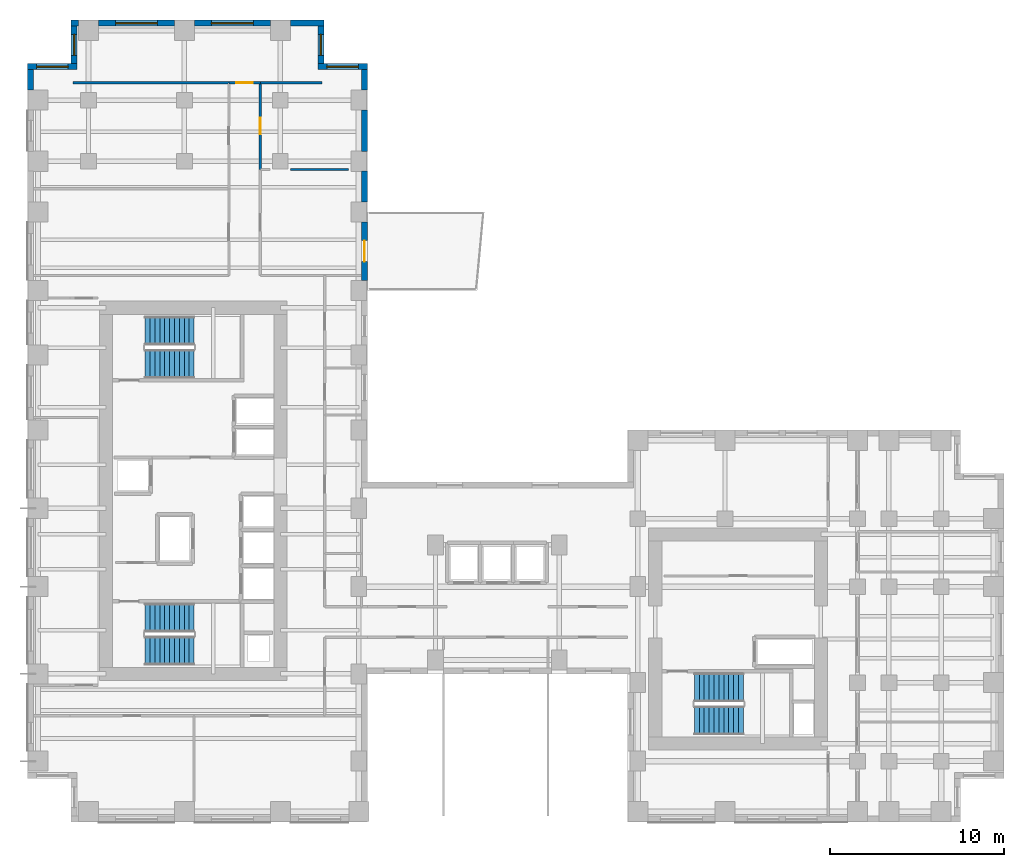
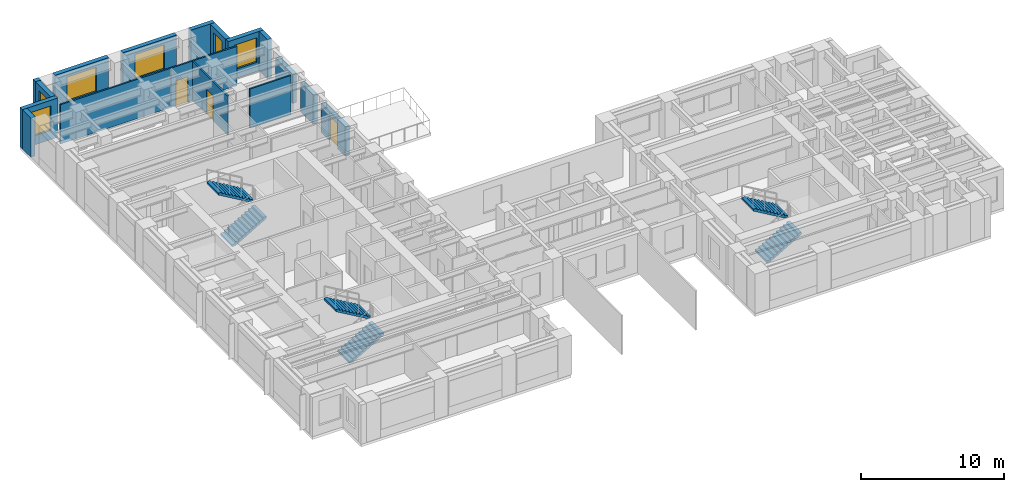
# One storey, part 9 of 11: 18 walls, 6 stair flights, 6 windows, 3 doors, 9 openings, 3 elements without a shape of their own.
"""IFC4 building model written with IfcOpenShell, lengths in metres."""

from ifc_helpers import new_model, si_unit, direction, frame, frame_2d, origin, place, context, subcontext, project, spatial, polyline, rectangle, outline, extrude, source, transform, mapped, material, layer, layer_set, type_object, element, fill, aggregate, save


model = new_model("IFC4")

# Units and contexts
model_context = context("Model", 3, precision=1e-05, world=origin(), true_north=direction((0.0, 1.0)))
body_context = subcontext(model_context, "Body", "Model", "MODEL_VIEW")
ifc_project = project(units=[si_unit("LENGTHUNIT", "METRE"), si_unit("AREAUNIT", "SQUARE_METRE"), si_unit("VOLUMEUNIT", "CUBIC_METRE"), si_unit("PLANEANGLEUNIT", "RADIAN"), si_unit("MASSUNIT", "GRAM", prefix="KILO")], contexts=[model_context])

# Site, building, storey
site_placement = place(None, origin())
site = spatial("IfcSite", under=ifc_project, at=site_placement, CompositionType="ELEMENT")
building_placement = place(site_placement, origin())
building = spatial("IfcBuilding", under=site, at=building_placement, Name="Kharzan Plaza Tower", CompositionType="ELEMENT")
storey_placement = place(building_placement, frame((0.0, 0.0, 113.39990234375)))
storey = spatial("IfcBuildingStorey", under=building, at=storey_placement, Name="L30", CompositionType="ELEMENT", Elevation=113.39990234375)

# Wall, opening, door
ifc_material_1 = material(Name="Concrete C40/50", Category="concrete")
ifc_layer_1 = layer(ifc_material_1, 0.35009765625)
ifc_layer_set_1 = layer_set([ifc_layer_1], Name="Concrete C40/50")
wall_type_1 = type_object("IfcWallType", Name="WL-EXT-MAS-Z2", PredefinedType="SOLIDWALL", material=ifc_layer_set_1)
wall_1_placement = place(storey_placement, frame((19.324951171875, 31.072998046875, 0.0), z_axis=(0.0, 0.0, 1.0), x_axis=(0.0, 1.0, 0.0)))
wall_1 = element("IfcWall", 1, at=wall_1_placement, inside=storey, type_object=wall_type_1, Name="L30 Masonry-Frame Exterior Wall 04", PredefinedType="SOLIDWALL", context=body_context, shape_type="SweptSolid", body=[
    extrude(rectangle(XDim=3.35400390625, YDim=0.35009765625, at=frame_2d((1.677001953125, 0.0))), origin(), (0.0, 0.0, 1.0), 2.51904296875),
])
opening_1_placement = place(wall_1_placement, frame((1.076904296875, 0.0, 0.0)))
opening_1 = element("IfcOpeningElement", 2, at=opening_1_placement, cuts=wall_1, Name="Opening ED3", PredefinedType="OPENING", context=body_context, shape_type="SweptSolid", body=[
    extrude(rectangle(XDim=1.199951171875, YDim=2.14990234375, at=frame_2d((0.60009765625, 1.074951171875))), frame((0.0, 0.18505859375, 0.0), z_axis=(0.0, -1.0, 0.0), x_axis=(1.0, 0.0, 0.0)), (0.0, 0.0, 1.0), 0.3701171875),
])
ifc_material_2 = material(Name="Thermally Broken Anodized Bronze Aluminium", Category="aluminium")
door_type_1 = type_object("IfcDoorType", Name="DR-EXT-TRAY-1200", OperationType="SINGLE_SWING_LEFT", PredefinedType="DOOR", material=ifc_material_2)
shared_shape_1 = source(origin(), body_context, "Body", "SweptSolid", [
    extrude(rectangle(XDim=1.199951171875, YDim=2.14990234375, at=frame_2d((0.60009765625, 1.074951171875))), frame((0.0, 0.02490234375, 0.0), z_axis=(0.0, -1.0, 0.0), x_axis=(1.0, 0.0, 0.0)), (0.0, 0.0, 1.0), 0.050048828125),
])
door_1_placement = place(opening_1_placement, frame((1.199951171875, 0.0, 0.0), z_axis=(0.0, 0.0, 1.0), x_axis=(-1.0, 0.0, 0.0)))
door_1 = element("IfcDoor", 3, at=door_1_placement, inside=storey, type_object=door_type_1, Name="L30 Cantilevered Sky-Terrace Tray Access Door", OperationType="SINGLE_SWING_LEFT", OverallHeight=2.14990234375, OverallWidth=1.199951171875, PredefinedType="DOOR", context=body_context, shape_type="MappedRepresentation", body=[
    mapped(shared_shape_1, transform((0.0, 0.0, 0.0), x_axis=(1.0, 0.0, 0.0), y_axis=(0.0, 1.0, 0.0), z_axis=(0.0, 0.0, 1.0))),
])
fill(opening_1, door_1)

# Wall, opening, window
wall_2_placement = place(storey_placement, frame((19.5, 43.324951171875, 0.0), z_axis=(0.0, 0.0, 1.0), x_axis=(-1.0, 0.0, 0.0)))
wall_2 = element("IfcWall", 4, at=wall_2_placement, inside=storey, type_object=wall_type_1, Name="L30 Masonry-Frame Exterior Wall 08", PredefinedType="SOLIDWALL", context=body_context, shape_type="SweptSolid", body=[
    extrude(rectangle(XDim=2.85009765625, YDim=0.35009765625, at=frame_2d((1.425048828125, 0.0))), origin(), (0.0, 0.0, 1.0), 3.364990234375),
])
opening_2_placement = place(wall_2_placement, frame((0.52490234375, 0.0, 0.780029296875)))
opening_2 = element("IfcOpeningElement", 5, at=opening_2_placement, cuts=wall_2, Name="Opening W1", PredefinedType="OPENING", context=body_context, shape_type="SweptSolid", body=[
    extrude(rectangle(XDim=1.800048828125, YDim=2.10009765625, at=frame_2d((0.89990234375, 1.050048828125))), frame((0.0, 0.18505859375, 0.0), z_axis=(0.0, -1.0, 0.0), x_axis=(1.0, 0.0, 0.0)), (0.0, 0.0, 1.0), 0.3701171875),
])
ifc_material_3 = material(Name="Low-E Double Glazing", Category="glass")
window_type_1 = type_object("IfcWindowType", Name="WN-REC-1800x2100", PartitioningType="SINGLE_PANEL", PredefinedType="WINDOW", material=ifc_material_3)
shared_shape_2 = source(origin(), body_context, "Body", "SweptSolid", [
    extrude(rectangle(XDim=1.800048828125, YDim=2.10009765625, at=frame_2d((0.89990234375, 1.050048828125))), frame((0.0, 0.030029296875, 0.0), z_axis=(0.0, -1.0, 0.0), x_axis=(1.0, 0.0, 0.0)), (0.0, 0.0, 1.0), 0.06005859375),
])
window_1_placement = place(opening_2_placement, origin())
window_1 = element("IfcWindow", 6, at=window_1_placement, inside=storey, type_object=window_type_1, Name="L30 Recessed Solar-Control Window 08-1", OverallHeight=2.10009765625, OverallWidth=1.800048828125, PartitioningType="SINGLE_PANEL", PredefinedType="WINDOW", context=body_context, shape_type="MappedRepresentation", body=[
    mapped(shared_shape_2, transform((0.0, 0.0, 0.0), x_axis=(1.0, 0.0, 0.0), y_axis=(0.0, 1.0, 0.0), z_axis=(0.0, 0.0, 1.0))),
])
fill(opening_2, window_1)

wall_3_placement = place(storey_placement, frame((16.824951171875, 43.498046875, 0.0), z_axis=(0.0, 0.0, 1.0), x_axis=(0.0, 1.0, 0.0)))
wall_3 = element("IfcWall", 7, at=wall_3_placement, inside=storey, type_object=wall_type_1, Name="L30 Masonry-Frame Exterior Wall 09", PredefinedType="SOLIDWALL", context=body_context, shape_type="SweptSolid", body=[
    extrude(rectangle(XDim=2.154052734375, YDim=0.35009765625, at=frame_2d((1.0771484375, 0.0))), origin(), (0.0, 0.0, 1.0), 3.364990234375),
])
opening_3_placement = place(wall_3_placement, frame((0.47705078125, 0.0, 0.780029296875)))
opening_3 = element("IfcOpeningElement", 8, at=opening_3_placement, cuts=wall_3, Name="Opening W3", PredefinedType="OPENING", context=body_context, shape_type="SweptSolid", body=[
    extrude(rectangle(XDim=1.199951171875, YDim=2.10009765625, at=frame_2d((0.60009765625, 1.050048828125))), frame((0.0, 0.18505859375, 0.0), z_axis=(0.0, -1.0, 0.0), x_axis=(1.0, 0.0, 0.0)), (0.0, 0.0, 1.0), 0.3701171875),
])
window_type_2 = type_object("IfcWindowType", Name="WN-REC-1200x2100", PartitioningType="SINGLE_PANEL", PredefinedType="WINDOW", material=ifc_material_3)
shared_shape_3 = source(origin(), body_context, "Body", "SweptSolid", [
    extrude(rectangle(XDim=1.199951171875, YDim=2.10009765625, at=frame_2d((0.60009765625, 1.050048828125))), frame((0.0, 0.030029296875, 0.0), z_axis=(0.0, -1.0, 0.0), x_axis=(1.0, 0.0, 0.0)), (0.0, 0.0, 1.0), 0.06005859375),
])
window_2_placement = place(opening_3_placement, origin())
window_2 = element("IfcWindow", 9, at=window_2_placement, inside=storey, type_object=window_type_2, Name="L30 Recessed Solar-Control Window 09-1", OverallHeight=2.10009765625, OverallWidth=1.199951171875, PartitioningType="SINGLE_PANEL", PredefinedType="WINDOW", context=body_context, shape_type="MappedRepresentation", body=[
    mapped(shared_shape_3, transform((0.0, 0.0, 0.0), x_axis=(1.0, 0.0, 0.0), y_axis=(0.0, 1.0, 0.0), z_axis=(0.0, 0.0, 1.0))),
])
fill(opening_3, window_2)

wall_4_placement = place(storey_placement, frame((13.927001953125, 45.824951171875, 0.0), z_axis=(0.0, 0.0, 1.0), x_axis=(-1.0, 0.0, 0.0)))
wall_4 = element("IfcWall", 10, at=wall_4_placement, inside=storey, type_object=wall_type_1, Name="L30 Masonry-Frame Exterior Wall 11", PredefinedType="SOLIDWALL", context=body_context, shape_type="SweptSolid", body=[
    extrude(rectangle(XDim=4.35400390625, YDim=0.35009765625, at=frame_2d((2.177001953125, 0.0))), origin(), (0.0, 0.0, 1.0), 3.364990234375),
])
opening_4_placement = place(wall_4_placement, frame((0.97705078125, 0.0, 0.780029296875)))
opening_4 = element("IfcOpeningElement", 11, at=opening_4_placement, cuts=wall_4, Name="Opening W2", PredefinedType="OPENING", context=body_context, shape_type="SweptSolid", body=[
    extrude(rectangle(XDim=2.39990234375, YDim=2.10009765625, at=frame_2d((1.199951171875, 1.050048828125))), frame((0.0, 0.18505859375, 0.0), z_axis=(0.0, -1.0, 0.0), x_axis=(1.0, 0.0, 0.0)), (0.0, 0.0, 1.0), 0.3701171875),
])
window_type_3 = type_object("IfcWindowType", Name="WN-REC-2400x2100", PartitioningType="SINGLE_PANEL", PredefinedType="WINDOW", material=ifc_material_3)
shared_shape_4 = source(origin(), body_context, "Body", "SweptSolid", [
    extrude(rectangle(XDim=2.39990234375, YDim=2.10009765625, at=frame_2d((1.199951171875, 1.050048828125))), frame((0.0, 0.030029296875, 0.0), z_axis=(0.0, -1.0, 0.0), x_axis=(1.0, 0.0, 0.0)), (0.0, 0.0, 1.0), 0.06005859375),
])
window_3_placement = place(opening_4_placement, origin())
window_3 = element("IfcWindow", 12, at=window_3_placement, inside=storey, type_object=window_type_3, Name="L30 Wide Recessed Solar-Control Window 11-1", OverallHeight=2.10009765625, OverallWidth=2.39990234375, PartitioningType="SINGLE_PANEL", PredefinedType="WINDOW", context=body_context, shape_type="MappedRepresentation", body=[
    mapped(shared_shape_4, transform((0.0, 0.0, 0.0), x_axis=(1.0, 0.0, 0.0), y_axis=(0.0, 1.0, 0.0), z_axis=(0.0, 0.0, 1.0))),
])
fill(opening_4, window_3)

wall_5_placement = place(storey_placement, frame((8.427001953125, 45.824951171875, 0.0), z_axis=(0.0, 0.0, 1.0), x_axis=(-1.0, 0.0, 0.0)))
wall_5 = element("IfcWall", 13, at=wall_5_placement, inside=storey, type_object=wall_type_1, Name="L30 Masonry-Frame Exterior Wall 12", PredefinedType="SOLIDWALL", context=body_context, shape_type="SweptSolid", body=[
    extrude(rectangle(XDim=4.35400390625, YDim=0.35009765625, at=frame_2d((2.177001953125, 0.0))), origin(), (0.0, 0.0, 1.0), 3.364990234375),
])
opening_5_placement = place(wall_5_placement, frame((0.97705078125, 0.0, 0.780029296875)))
opening_5 = element("IfcOpeningElement", 14, at=opening_5_placement, cuts=wall_5, Name="Opening W2", PredefinedType="OPENING", context=body_context, shape_type="SweptSolid", body=[
    extrude(rectangle(XDim=2.39990234375, YDim=2.10009765625, at=frame_2d((1.199951171875, 1.050048828125))), frame((0.0, 0.18505859375, 0.0), z_axis=(0.0, -1.0, 0.0), x_axis=(1.0, 0.0, 0.0)), (0.0, 0.0, 1.0), 0.3701171875),
])
window_4_placement = place(opening_5_placement, origin())
window_4 = element("IfcWindow", 15, at=window_4_placement, inside=storey, type_object=window_type_3, Name="L30 Wide Recessed Solar-Control Window 12-1", OverallHeight=2.10009765625, OverallWidth=2.39990234375, PartitioningType="SINGLE_PANEL", PredefinedType="WINDOW", context=body_context, shape_type="MappedRepresentation", body=[
    mapped(shared_shape_4, transform((0.0, 0.0, 0.0), x_axis=(1.0, 0.0, 0.0), y_axis=(0.0, 1.0, 0.0), z_axis=(0.0, 0.0, 1.0))),
])
fill(opening_5, window_4)

wall_6_placement = place(storey_placement, frame((2.675048828125, 45.652099609375, 0.0), z_axis=(0.0, 0.0, 1.0), x_axis=(0.0, -1.0, 0.0)))
wall_6 = element("IfcWall", 16, at=wall_6_placement, inside=storey, type_object=wall_type_1, Name="L30 Masonry-Frame Exterior Wall 14", PredefinedType="SOLIDWALL", context=body_context, shape_type="SweptSolid", body=[
    extrude(rectangle(XDim=2.154052734375, YDim=0.35009765625, at=frame_2d((1.0771484375, 0.0))), origin(), (0.0, 0.0, 1.0), 3.364990234375),
])
opening_6_placement = place(wall_6_placement, frame((0.47705078125, 0.0, 0.780029296875)))
opening_6 = element("IfcOpeningElement", 17, at=opening_6_placement, cuts=wall_6, Name="Opening W3", PredefinedType="OPENING", context=body_context, shape_type="SweptSolid", body=[
    extrude(rectangle(XDim=1.199951171875, YDim=2.10009765625, at=frame_2d((0.60009765625, 1.050048828125))), frame((0.0, 0.18505859375, 0.0), z_axis=(0.0, -1.0, 0.0), x_axis=(1.0, 0.0, 0.0)), (0.0, 0.0, 1.0), 0.3701171875),
])
window_5_placement = place(opening_6_placement, origin())
window_5 = element("IfcWindow", 18, at=window_5_placement, inside=storey, type_object=window_type_2, Name="L30 Recessed Solar-Control Window 14-1", OverallHeight=2.10009765625, OverallWidth=1.199951171875, PartitioningType="SINGLE_PANEL", PredefinedType="WINDOW", context=body_context, shape_type="MappedRepresentation", body=[
    mapped(shared_shape_3, transform((0.0, 0.0, 0.0), x_axis=(1.0, 0.0, 0.0), y_axis=(0.0, 1.0, 0.0), z_axis=(0.0, 0.0, 1.0))),
])
fill(opening_6, window_5)

wall_7_placement = place(storey_placement, frame((2.85009765625, 43.324951171875, 0.0), z_axis=(0.0, 0.0, 1.0), x_axis=(-1.0, 0.0, 0.0)))
wall_7 = element("IfcWall", 19, at=wall_7_placement, inside=storey, type_object=wall_type_1, Name="L30 Masonry-Frame Exterior Wall 15", PredefinedType="SOLIDWALL", context=body_context, shape_type="SweptSolid", body=[
    extrude(rectangle(XDim=2.85009765625, YDim=0.35009765625, at=frame_2d((1.425048828125, 0.0))), origin(), (0.0, 0.0, 1.0), 3.364990234375),
])
opening_7_placement = place(wall_7_placement, frame((0.52490234375, 0.0, 0.780029296875)))
opening_7 = element("IfcOpeningElement", 20, at=opening_7_placement, cuts=wall_7, Name="Opening W1", PredefinedType="OPENING", context=body_context, shape_type="SweptSolid", body=[
    extrude(rectangle(XDim=1.800048828125, YDim=2.10009765625, at=frame_2d((0.89990234375, 1.050048828125))), frame((0.0, 0.18505859375, 0.0), z_axis=(0.0, -1.0, 0.0), x_axis=(1.0, 0.0, 0.0)), (0.0, 0.0, 1.0), 0.3701171875),
])
window_6_placement = place(opening_7_placement, origin())
window_6 = element("IfcWindow", 21, at=window_6_placement, inside=storey, type_object=window_type_1, Name="L30 Recessed Solar-Control Window 15-1", OverallHeight=2.10009765625, OverallWidth=1.800048828125, PartitioningType="SINGLE_PANEL", PredefinedType="WINDOW", context=body_context, shape_type="MappedRepresentation", body=[
    mapped(shared_shape_2, transform((0.0, 0.0, 0.0), x_axis=(1.0, 0.0, 0.0), y_axis=(0.0, 1.0, 0.0), z_axis=(0.0, 0.0, 1.0))),
])
fill(opening_7, window_6)

# Wall, opening, door
ifc_material_4 = material(Name="Fire-Rated Gypsum Board Partition", Category="gypsum")
ifc_layer_2 = layer(ifc_material_4, 0.125)
ifc_layer_set_2 = layer_set([ifc_layer_2], Name="Fire-Rated Gypsum Board Partition")
wall_type_2 = type_object("IfcWallType", Name="WL-INT-PART-125", PredefinedType="PARTITIONING", material=ifc_layer_set_2)
wall_8_placement = place(storey_placement, frame((13.35009765625, 37.427978515625, 0.0), z_axis=(0.0, 0.0, 1.0), x_axis=(0.0, 1.0, 0.0)))
wall_8 = element("IfcWall", 22, at=wall_8_placement, inside=storey, type_object=wall_type_2, Name="L30 Interior Partition SH-SPE-2", PredefinedType="PARTITIONING", context=body_context, shape_type="SweptSolid", body=[
    extrude(rectangle(XDim=4.971923828125, YDim=0.125, at=frame_2d((2.48583984375, 0.0))), origin(), (0.0, 0.0, 1.0), 3.364990234375),
])
opening_8_placement = place(wall_8_placement, frame((2.010986328125, 0.0, 0.0)))
opening_8 = element("IfcOpeningElement", 23, at=opening_8_placement, cuts=wall_8, Name="Opening OD1", PredefinedType="OPENING", context=body_context, shape_type="SweptSolid", body=[
    extrude(rectangle(XDim=0.949951171875, YDim=2.14990234375, at=frame_2d((0.47509765625, 1.074951171875))), frame((0.0, 0.072509765625, 0.0), z_axis=(0.0, -1.0, 0.0), x_axis=(1.0, 0.0, 0.0)), (0.0, 0.0, 1.0), 0.14501953125),
])
ifc_material_5 = material(Name="Acoustic Solid-Core Stained Oak", Category="timber")
door_type_2 = type_object("IfcDoorType", Name="DR-OFF-SINGLE", OperationType="NOTDEFINED", PredefinedType="DOOR", material=ifc_material_5)
shared_shape_5 = source(origin(), body_context, "Body", "SweptSolid", [
    extrude(rectangle(XDim=0.949951171875, YDim=2.14990234375, at=frame_2d((0.47509765625, 1.074951171875))), frame((0.0, 0.02490234375, 0.0), z_axis=(0.0, -1.0, 0.0), x_axis=(1.0, 0.0, 0.0)), (0.0, 0.0, 1.0), 0.050048828125),
])
door_2_placement = place(opening_8_placement, origin())
door_2 = element("IfcDoor", 24, at=door_2_placement, inside=storey, type_object=door_type_2, Name="L30 Committee Conference Room Door", OperationType="SINGLE_SWING_LEFT", OverallHeight=2.14990234375, OverallWidth=0.949951171875, PredefinedType="DOOR", context=body_context, shape_type="MappedRepresentation", body=[
    mapped(shared_shape_5, transform((0.0, 0.0, 0.0), x_axis=(1.0, 0.0, 0.0), y_axis=(0.0, 1.0, 0.0), z_axis=(0.0, 0.0, 1.0))),
])
fill(opening_8, door_2)

wall_9_placement = place(storey_placement, frame((11.550048828125, 42.39990234375, 0.0), z_axis=(0.0, 0.0, 1.0), x_axis=(1.0, 0.0, 0.0)))
wall_9 = element("IfcWall", 25, at=wall_9_placement, inside=storey, type_object=wall_type_2, Name="L30 Interior Partition SH-SPHD", PredefinedType="PARTITIONING", context=body_context, shape_type="SweptSolid", body=[
    extrude(rectangle(XDim=1.800048828125, YDim=0.125, at=frame_2d((0.89990234375, 0.0))), origin(), (0.0, 0.0, 1.0), 3.364990234375),
])
opening_9_placement = place(wall_9_placement, frame((0.425048828125, 0.0, 0.0)))
opening_9 = element("IfcOpeningElement", 26, at=opening_9_placement, cuts=wall_9, Name="Opening OD1", PredefinedType="OPENING", context=body_context, shape_type="SweptSolid", body=[
    extrude(rectangle(XDim=0.949951171875, YDim=2.14990234375, at=frame_2d((0.47509765625, 1.074951171875))), frame((0.0, 0.072509765625, 0.0), z_axis=(0.0, -1.0, 0.0), x_axis=(1.0, 0.0, 0.0)), (0.0, 0.0, 1.0), 0.14501953125),
])
door_3_placement = place(opening_9_placement, origin())
door_3 = element("IfcDoor", 27, at=door_3_placement, inside=storey, type_object=door_type_2, Name="L30 North Boardroom Door", OperationType="SINGLE_SWING_LEFT", OverallHeight=2.14990234375, OverallWidth=0.949951171875, PredefinedType="DOOR", context=body_context, shape_type="MappedRepresentation", body=[
    mapped(shared_shape_5, transform((0.0, 0.0, 0.0), x_axis=(1.0, 0.0, 0.0), y_axis=(0.0, 1.0, 0.0), z_axis=(0.0, 0.0, 1.0))),
])
fill(opening_9, door_3)

# Walls
shared_shape_6 = source(origin(), body_context, "Body", "SweptSolid", [
    extrude(rectangle(XDim=3.5498046875, YDim=0.125, at=frame_2d((1.77490234375, 0.0))), origin(), (0.0, 0.0, 1.0), 3.364990234375),
])
wall_10_placement = place(storey_placement, frame((13.35009765625, 42.39990234375, 0.0), z_axis=(0.0, 0.0, 1.0), x_axis=(1.0, 0.0, 0.0)))
element("IfcWall", 28, at=wall_10_placement, inside=storey, type_object=wall_type_2, Name="L30 Interior Partition SH-SPHE", PredefinedType="PARTITIONING", context=body_context, shape_type="MappedRepresentation", body=[
    mapped(shared_shape_6, transform((0.0, 0.0, 0.0), x_axis=(1.0, 0.0, 0.0), y_axis=(0.0, 1.0, 0.0), z_axis=(0.0, 0.0, 1.0))),
])
shared_shape_7 = source(origin(), body_context, "Body", "SweptSolid", [
    extrude(rectangle(XDim=8.949951171875, YDim=0.125, at=frame_2d((4.47509765625, 0.0))), origin(), (0.0, 0.0, 1.0), 3.364990234375),
])
wall_11_placement = place(storey_placement, frame((2.60009765625, 42.39990234375, 0.0), z_axis=(0.0, 0.0, 1.0), x_axis=(1.0, 0.0, 0.0)))
element("IfcWall", 29, at=wall_11_placement, inside=storey, type_object=wall_type_2, Name="L30 Interior Partition SH-SPHW", PredefinedType="PARTITIONING", context=body_context, shape_type="MappedRepresentation", body=[
    mapped(shared_shape_7, transform((0.0, 0.0, 0.0), x_axis=(1.0, 0.0, 0.0), y_axis=(0.0, 1.0, 0.0), z_axis=(0.0, 0.0, 1.0))),
])
shared_shape_8 = source(origin(), body_context, "Body", "SweptSolid", [
    extrude(rectangle(XDim=1.927001953125, YDim=0.35009765625, at=frame_2d((0.96337890625, 0.0))), origin(), (0.0, 0.0, 1.0), 3.364990234375),
])
wall_12_placement = place(storey_placement, frame((17.0, 45.824951171875, 0.0), z_axis=(0.0, 0.0, 1.0), x_axis=(-1.0, 0.0, 0.0)))
element("IfcWall", 30, at=wall_12_placement, inside=storey, type_object=wall_type_1, Name="L30 Masonry-Frame Exterior Wall 10", PredefinedType="SOLIDWALL", context=body_context, shape_type="MappedRepresentation", body=[
    mapped(shared_shape_8, transform((0.0, 0.0, 0.0), x_axis=(1.0, 0.0, 0.0), y_axis=(0.0, 1.0, 0.0), z_axis=(0.0, 0.0, 1.0))),
])
shared_shape_9 = source(origin(), body_context, "Body", "SweptSolid", [
    extrude(rectangle(XDim=0.427001953125, YDim=0.35009765625, at=frame_2d((0.21337890625, 0.0))), origin(), (0.0, 0.0, 1.0), 3.364990234375),
])
wall_13_placement = place(storey_placement, frame((2.927001953125, 45.824951171875, 0.0), z_axis=(0.0, 0.0, 1.0), x_axis=(-1.0, 0.0, 0.0)))
element("IfcWall", 31, at=wall_13_placement, inside=storey, type_object=wall_type_1, Name="L30 Masonry-Frame Exterior Wall 13", PredefinedType="SOLIDWALL", context=body_context, shape_type="MappedRepresentation", body=[
    mapped(shared_shape_9, transform((0.0, 0.0, 0.0), x_axis=(1.0, 0.0, 0.0), y_axis=(0.0, 1.0, 0.0), z_axis=(0.0, 0.0, 1.0))),
])
shared_shape_10 = source(origin(), body_context, "Body", "SweptSolid", [
    extrude(rectangle(XDim=1.17919921875, YDim=0.35009765625, at=frame_2d((0.589599609375, 0.0))), origin(), (0.0, 0.0, 1.0), 3.364990234375),
])
for number, where, z_axis, x_axis, name in (
    (32, (19.324951171875, 41.972900390625, 0.0), (0.0, 0.0, 1.0), (0.0, 1.0, 0.0), "L30 Masonry-Frame Exterior Wall 07"),
    (33, (0.175048828125, 43.152099609375, 0.0), (0.0, 0.0, 1.0), (0.0, -1.0, 0.0), "L30 Masonry-Frame Exterior Wall 16"),
):
    element("IfcWall", number, at=place(storey_placement, frame(where, z_axis=z_axis, x_axis=x_axis)), inside=storey, type_object=wall_type_1, Name=name, PredefinedType="SOLIDWALL", context=body_context, shape_type="MappedRepresentation", body=[
        mapped(shared_shape_10, transform((0.0, 0.0, 0.0), x_axis=(1.0, 0.0, 0.0), y_axis=(0.0, 1.0, 0.0), z_axis=(0.0, 0.0, 1.0))),
    ])
shared_shape_11 = source(origin(), body_context, "Body", "SweptSolid", [
    extrude(rectangle(XDim=1.75390625, YDim=0.35009765625, at=frame_2d((0.876953125, 0.0))), origin(), (0.0, 0.0, 1.0), 2.51904296875),
])
wall_14_placement = place(storey_placement, frame((19.324951171875, 35.572998046875, 0.0), z_axis=(0.0, 0.0, 1.0), x_axis=(0.0, 1.0, 0.0)))
element("IfcWall", 34, at=wall_14_placement, inside=storey, type_object=wall_type_1, Name="L30 Masonry-Frame Exterior Wall 05", PredefinedType="SOLIDWALL", context=body_context, shape_type="MappedRepresentation", body=[
    mapped(shared_shape_11, transform((0.0, 0.0, 0.0), x_axis=(1.0, 0.0, 0.0), y_axis=(0.0, 1.0, 0.0), z_axis=(0.0, 0.0, 1.0))),
])
shared_shape_12 = source(origin(), body_context, "Body", "SweptSolid", [
    extrude(rectangle(XDim=2.35400390625, YDim=0.35009765625, at=frame_2d((1.177001953125, 0.0))), origin(), (0.0, 0.0, 1.0), 2.51904296875),
])
wall_15_placement = place(storey_placement, frame((19.324951171875, 38.472900390625, 0.0), z_axis=(0.0, 0.0, 1.0), x_axis=(0.0, 1.0, 0.0)))
element("IfcWall", 35, at=wall_15_placement, inside=storey, type_object=wall_type_1, Name="L30 Masonry-Frame Exterior Wall 06", PredefinedType="SOLIDWALL", context=body_context, shape_type="MappedRepresentation", body=[
    mapped(shared_shape_12, transform((0.0, 0.0, 0.0), x_axis=(1.0, 0.0, 0.0), y_axis=(0.0, 1.0, 0.0), z_axis=(0.0, 0.0, 1.0))),
])
shared_shape_13 = source(origin(), body_context, "Body", "SweptSolid", [
    extrude(rectangle(XDim=3.31982421875, YDim=0.125, at=frame_2d((1.659912109375, 0.0))), origin(), (0.0, 0.0, 1.0), 3.364990234375),
])
wall_16_placement = place(storey_placement, frame((15.090087890625, 37.427978515625, 0.0), z_axis=(0.0, 0.0, 1.0), x_axis=(1.0, 0.0, 0.0)))
element("IfcWall", 36, at=wall_16_placement, inside=storey, type_object=wall_type_2, Name="L30 Interior Partition SH-NEH-1-S2", PredefinedType="PARTITIONING", context=body_context, shape_type="MappedRepresentation", body=[
    mapped(shared_shape_13, transform((0.0, 0.0, 0.0), x_axis=(1.0, 0.0, 0.0), y_axis=(0.0, 1.0, 0.0), z_axis=(0.0, 0.0, 1.0))),
])

# Stair, stair flights
stair_type_1 = type_object("IfcStairType", Name="STR-ST-1", PredefinedType="HALF_TURN_STAIR", material=ifc_material_1)
stair_1_placement = place(storey_placement, origin())
stair_1 = element("IfcStair", 37, at=stair_1_placement, inside=storey, type_object=stair_type_1, Name="L30 Protected Exit Stair ST-1", PredefinedType="HALF_TURN_STAIR")
stair_flight_type = type_object("IfcStairFlightType", Name="SFL-1650-R173", PredefinedType="STRAIGHT", material=ifc_material_1)
shared_shape_14 = source(origin(), body_context, "Body", "SweptSolid", [
    extrude(outline(polyline([(-0.0029296875, -0.011962890625), (-0.0029296875, 0.0), (0.0, 0.0), (0.0, 0.16357421875), (0.280029296875, 0.16357421875), (0.280029296875, 0.3271484375), (0.56005859375, 0.3271484375), (0.56005859375, 0.49072265625), (0.840087890625, 0.49072265625), (0.840087890625, 0.654296875), (1.1201171875, 0.654296875), (1.1201171875, 0.81787109375), (1.400146484375, 0.81787109375), (1.400146484375, 0.9814453125), (1.68017578125, 0.9814453125), (1.68017578125, 1.14501953125), (1.960205078125, 1.14501953125), (1.960205078125, 1.30859375), (2.240234375, 1.30859375), (2.240234375, 1.47216796875), (2.520263671875, 1.47216796875), (2.520263671875, 1.6357421875), (2.80029296875, 1.6357421875), (2.80029296875, 1.79931640625), (2.80029296875, 1.462158203125), (0.297119140625, 0.0), (0.297119140625, -0.011962890625), (-0.0029296875, -0.011962890625)])), frame((0.0, 0.824951171875, 0.0), z_axis=(0.0, -1.0, 0.0), x_axis=(1.0, 0.0, 0.0)), (0.0, 0.0, 1.0), 1.64990234375),
])
stair_flight_1_placement = place(storey_placement, frame((6.75, 9.824951171875, 0.0), z_axis=(0.0, 0.0, 1.0), x_axis=(1.0, 0.0, 0.0)))
stair_flight_1 = element("IfcStairFlight", 38, at=stair_flight_1_placement, type_object=stair_flight_type, Name="ST-1 flight 1", NumberOfRisers=11, NumberOfTreads=10, PredefinedType="STRAIGHT", RiserHeight=0.163636364, TreadLength=0.28, context=body_context, shape_type="MappedRepresentation", body=[
    mapped(shared_shape_14, transform((0.0, 0.0, 0.0), x_axis=(1.0, 0.0, 0.0), y_axis=(0.0, 1.0, 0.0), z_axis=(0.0, 0.0, 1.0))),
])
stair_flight_2_placement = place(storey_placement, frame((9.550048828125, 11.72509765625, 1.800048828125), z_axis=(0.0, 0.0, 1.0), x_axis=(-1.0, 0.0, 0.0)))
stair_flight_2 = element("IfcStairFlight", 39, at=stair_flight_2_placement, type_object=stair_flight_type, Name="ST-1 flight 2", NumberOfRisers=11, NumberOfTreads=10, PredefinedType="STRAIGHT", RiserHeight=0.163636364, TreadLength=0.28, context=body_context, shape_type="MappedRepresentation", body=[
    mapped(shared_shape_14, transform((0.0, 0.0, 0.0), x_axis=(1.0, 0.0, 0.0), y_axis=(0.0, 1.0, 0.0), z_axis=(0.0, 0.0, 1.0))),
])
aggregate(stair_1, [stair_flight_1, stair_flight_2])

stair_type_2 = type_object("IfcStairType", Name="STR-ST-2", PredefinedType="HALF_TURN_STAIR", material=ifc_material_1)
stair_2_placement = place(storey_placement, origin())
stair_2 = element("IfcStair", 40, at=stair_2_placement, inside=storey, type_object=stair_type_2, Name="L30 Protected Exit Stair ST-2", PredefinedType="HALF_TURN_STAIR")
stair_flight_3_placement = place(storey_placement, frame((6.75, 26.27490234375, 0.0), z_axis=(0.0, 0.0, 1.0), x_axis=(1.0, 0.0, 0.0)))
stair_flight_3 = element("IfcStairFlight", 41, at=stair_flight_3_placement, type_object=stair_flight_type, Name="ST-2 flight 1", NumberOfRisers=11, NumberOfTreads=10, PredefinedType="STRAIGHT", RiserHeight=0.163636364, TreadLength=0.28, context=body_context, shape_type="MappedRepresentation", body=[
    mapped(shared_shape_14, transform((0.0, 0.0, 0.0), x_axis=(1.0, 0.0, 0.0), y_axis=(0.0, 1.0, 0.0), z_axis=(0.0, 0.0, 1.0))),
])
stair_flight_4_placement = place(storey_placement, frame((9.550048828125, 28.175048828125, 1.800048828125), z_axis=(0.0, 0.0, 1.0), x_axis=(-1.0, 0.0, 0.0)))
stair_flight_4 = element("IfcStairFlight", 42, at=stair_flight_4_placement, type_object=stair_flight_type, Name="ST-2 flight 2", NumberOfRisers=11, NumberOfTreads=10, PredefinedType="STRAIGHT", RiserHeight=0.163636364, TreadLength=0.28, context=body_context, shape_type="MappedRepresentation", body=[
    mapped(shared_shape_14, transform((0.0, 0.0, 0.0), x_axis=(1.0, 0.0, 0.0), y_axis=(0.0, 1.0, 0.0), z_axis=(0.0, 0.0, 1.0))),
])
aggregate(stair_2, [stair_flight_3, stair_flight_4])

stair_type_3 = type_object("IfcStairType", Name="STR-ST-3", PredefinedType="HALF_TURN_STAIR", material=ifc_material_1)
stair_3_placement = place(storey_placement, origin())
stair_3 = element("IfcStair", 43, at=stair_3_placement, inside=storey, type_object=stair_type_3, Name="L30 Protected Exit Stair ST-3", PredefinedType="HALF_TURN_STAIR")
stair_flight_5_placement = place(storey_placement, frame((38.25, 5.824951171875, 0.0), z_axis=(0.0, 0.0, 1.0), x_axis=(1.0, 0.0, 0.0)))
stair_flight_5 = element("IfcStairFlight", 44, at=stair_flight_5_placement, type_object=stair_flight_type, Name="ST-3 flight 1", NumberOfRisers=11, NumberOfTreads=10, PredefinedType="STRAIGHT", RiserHeight=0.163636364, TreadLength=0.28, context=body_context, shape_type="MappedRepresentation", body=[
    mapped(shared_shape_14, transform((0.0, 0.0, 0.0), x_axis=(1.0, 0.0, 0.0), y_axis=(0.0, 1.0, 0.0), z_axis=(0.0, 0.0, 1.0))),
])
stair_flight_6_placement = place(storey_placement, frame((41.050048828125, 7.72509765625, 1.800048828125), z_axis=(0.0, 0.0, 1.0), x_axis=(-1.0, 0.0, 0.0)))
stair_flight_6 = element("IfcStairFlight", 45, at=stair_flight_6_placement, type_object=stair_flight_type, Name="ST-3 flight 2", NumberOfRisers=11, NumberOfTreads=10, PredefinedType="STRAIGHT", RiserHeight=0.163636364, TreadLength=0.28, context=body_context, shape_type="MappedRepresentation", body=[
    mapped(shared_shape_14, transform((0.0, 0.0, 0.0), x_axis=(1.0, 0.0, 0.0), y_axis=(0.0, 1.0, 0.0), z_axis=(0.0, 0.0, 1.0))),
])
aggregate(stair_3, [stair_flight_5, stair_flight_6])

save(model, "model.ifc")
